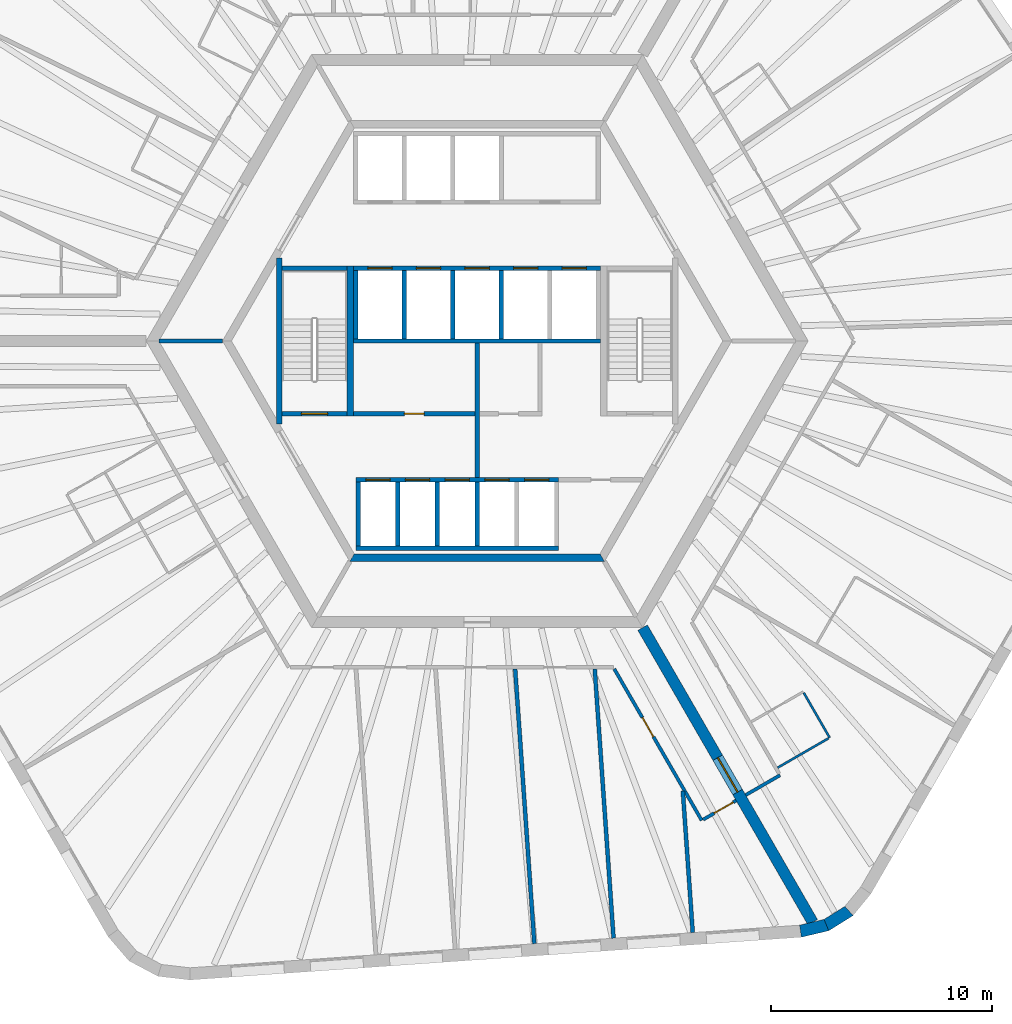
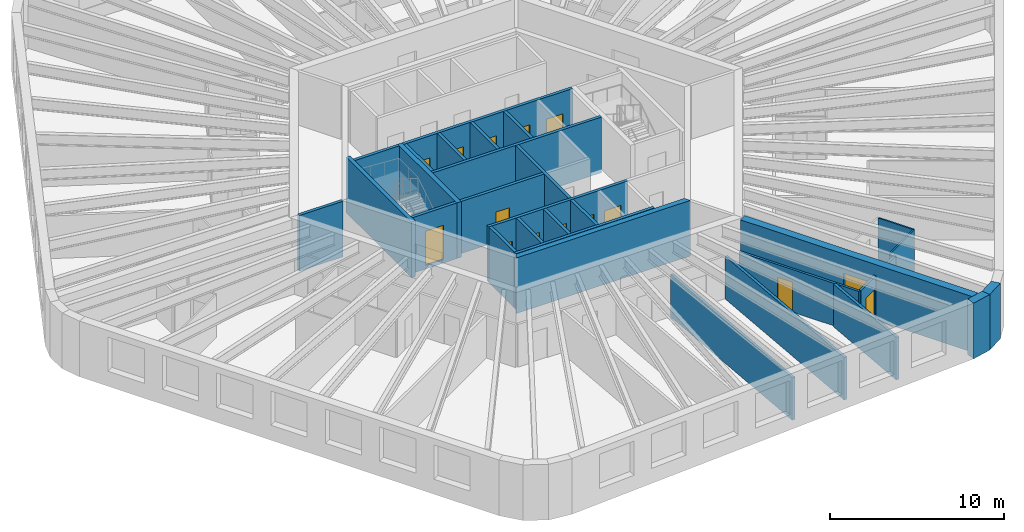
# One storey, part 4 of 10: 31 walls, 15 doors, 15 openings.
"""IFC4 building model written with IfcOpenShell, lengths in metres."""

import ifcopenshell
import ifcopenshell.guid

model = None  # the IFC model being written
_history = None  # IfcOwnerHistory: only IFC2X3 demands one
_inside = {}  # id of a spatial element -> (the spatial element, [elements in it])
_under = {}  # id of a project, library or spatial element -> (it, [spatial elements below it])
_declared = {}  # id of a project -> (the project, [libraries it declares])
_typed = {}  # id of a type object -> (the type object, [elements of that type])
_made_of = {}  # id of a material, layer set ... -> (it, [elements and type objects made of it])


def new_model(schema):
    """Start an empty IFC model of exactly this schema.

    Asked for "IFC4X3", IfcOpenShell would pick the latest addendum, in which some entities
    have other attributes; the version numbers below select the first issue.
    IFC2X3 requires an IfcOwnerHistory on every rooted entity: one is made here for all.
    """
    global model, _history
    if schema == "IFC4X3":
        model = ifcopenshell.file(schema_version=(4, 3, 0, 0))
    else:
        model = ifcopenshell.file(schema=schema)
    _inside.clear()
    _under.clear()
    _declared.clear()
    _typed.clear()
    _made_of.clear()
    _history = None
    if model.schema == "IFC2X3":
        org = make("IfcOrganization", Name="unknown")
        user = make(
            "IfcPersonAndOrganization",
            ThePerson=make("IfcPerson", FamilyName="unknown"),
            TheOrganization=org,
        )
        app = make(
            "IfcApplication",
            ApplicationDeveloper=org,
            Version="unknown",
            ApplicationFullName="unknown",
            ApplicationIdentifier="unknown",
        )
        _history = make(
            "IfcOwnerHistory",
            OwningUser=user,
            OwningApplication=app,
            ChangeAction="ADDED",
            CreationDate=0,
        )
    return model


def make(cls, **values):
    """One entity of the class cls with the attributes given. An attribute that is None is left unset."""
    return model.create_entity(
        cls, **{name: value for name, value in values.items() if value is not None}
    )


def rooted(cls, **values):
    """An entity with a GlobalId (a new one), such as an element, a storey or a relation."""
    return make(cls, GlobalId=ifcopenshell.guid.new(), OwnerHistory=_history, **values)


def si_unit(unit_type, name, prefix=None):
    """IfcSIUnit, for example si_unit("LENGTHUNIT", "METRE", prefix="MILLI")."""
    return make("IfcSIUnit", UnitType=unit_type, Prefix=prefix, Name=name)


def assignment(units):
    """IfcUnitAssignment: the units of a project."""
    return None if units is None else make("IfcUnitAssignment", Units=units)


def point(xyz):
    """IfcCartesianPoint."""
    return None if xyz is None else make("IfcCartesianPoint", Coordinates=xyz)


def direction(xyz):
    """IfcDirection."""
    return None if xyz is None else make("IfcDirection", DirectionRatios=xyz)


def frame(location, z_axis=None, x_axis=None):
    """IfcAxis2Placement3D, a coordinate frame: its origin and axes. An axis left out is left unset."""
    return make(
        "IfcAxis2Placement3D",
        Location=point(location),
        Axis=direction(z_axis),
        RefDirection=direction(x_axis),
    )


def frame_2d(location, x_axis=None):
    """IfcAxis2Placement2D, a coordinate frame in the plane: its origin and x axis."""
    return make(
        "IfcAxis2Placement2D", Location=point(location), RefDirection=direction(x_axis)
    )


def origin():
    """The frame at (0, 0, 0) with its axes left unset."""
    return frame((0.0, 0.0, 0.0))


def place(relative_to, where):
    """IfcLocalPlacement: puts the frame where relative to a parent placement (None: the world)."""
    return make(
        "IfcLocalPlacement", PlacementRelTo=relative_to, RelativePlacement=where
    )


def context(
    kind, dimensions, precision=None, world=None, true_north=None, identifier=None
):
    """IfcGeometricRepresentationContext, for example the 3D "Model" context."""
    return make(
        "IfcGeometricRepresentationContext",
        ContextIdentifier=identifier,
        ContextType=kind,
        CoordinateSpaceDimension=dimensions,
        Precision=precision,
        WorldCoordinateSystem=world,
        TrueNorth=true_north,
    )


def subcontext(parent, identifier, kind, view, scale=None):
    """IfcGeometricRepresentationSubContext, for example "Body" below "Model"."""
    return make(
        "IfcGeometricRepresentationSubContext",
        ContextIdentifier=identifier,
        ContextType=kind,
        ParentContext=parent,
        TargetScale=scale,
        TargetView=view,
    )


def project(units=None, contexts=None):
    """IfcProject with its units and contexts."""
    return rooted(
        "IfcProject",
        Name="project",
        RepresentationContexts=contexts,
        UnitsInContext=assignment(units),
    )


def spatial(cls, under=None, at=None, **own):
    """A site, building, storey or space (cls), placed at a placement, below another one or the project."""
    s = rooted(cls, ObjectPlacement=at, **own)
    if under is not None:
        _under.setdefault(under.id(), (under, []))[1].append(s)
    return s


def polyline(points):
    """IfcPolyline through the points."""
    return make("IfcPolyline", Points=[point(p) for p in points])


def profile(cls, at=None, kind="AREA", **sizes):
    """A parametric profile (cls). Its sizes go by their IFC names, for example OverallWidth=200.0."""
    return make(cls, ProfileType=kind, Position=at, **sizes)


def rectangle(**sizes):
    """IfcRectangleProfileDef."""
    return profile("IfcRectangleProfileDef", **sizes)


def outline(outer, holes=None, kind="AREA"):
    """IfcArbitraryClosedProfileDef: a profile drawn as a closed curve; with holes, ...WithVoids."""
    if holes is None:
        return make("IfcArbitraryClosedProfileDef", ProfileType=kind, OuterCurve=outer)
    return make(
        "IfcArbitraryProfileDefWithVoids",
        ProfileType=kind,
        OuterCurve=outer,
        InnerCurves=holes,
    )


def extrude(swept, where, along, depth):
    """IfcExtrudedAreaSolid: the profile swept, set in the frame where, extruded along a direction by depth."""
    return make(
        "IfcExtrudedAreaSolid",
        SweptArea=swept,
        Position=where,
        ExtrudedDirection=direction(along),
        Depth=depth,
    )


def shape(context_of_items, identifier, shape_type, items):
    """IfcShapeRepresentation: the items that make up one representation, for example the "Body"."""
    return make(
        "IfcShapeRepresentation",
        ContextOfItems=context_of_items,
        RepresentationIdentifier=identifier,
        RepresentationType=shape_type,
        Items=items,
    )


def material(Name=None, Category=None):
    """IfcMaterial."""
    return make("IfcMaterial", Name=Name, Category=Category)


def layer(
    of_material, thickness, ventilated=None, Name=None, Category=None, Priority=None
):
    """IfcMaterialLayer: one layer of a wall or slab, of a material (None: an air gap)."""
    return make(
        "IfcMaterialLayer",
        Material=of_material,
        LayerThickness=thickness,
        IsVentilated=ventilated,
        Name=Name,
        Category=Category,
        Priority=Priority,
    )


def layer_set(layers, Name=None):
    """IfcMaterialLayerSet."""
    return make("IfcMaterialLayerSet", MaterialLayers=layers, LayerSetName=Name)


def made_of(thing, what):
    """Note that an element or type object is made of a material, layer set ...; save() writes the relation."""
    if what is not None:
        _made_of.setdefault(what.id(), (what, []))[1].append(thing)
    return thing


def type_object(cls, material=None, **own):
    """A type object (cls), such as IfcWallType, which elements share."""
    return made_of(rooted(cls, **own), material)


def element(
    cls,
    number,
    at=None,
    inside=None,
    cuts=None,
    type_object=None,
    material=None,
    context=None,
    identifier="Body",
    shape_type=None,
    held_by="IfcProductDefinitionShape",
    body=None,
    shapes=None,
    **own,
):
    """One element of the class cls, such as IfcWall. Its Tag is "e" and its number.

    at: its placement. inside: the storey or other place that contains it. cuts: it is an
    opening in that element (IfcRelVoidsElement). A single representation is given by context,
    identifier, shape_type and body (its items); several are given by shapes. held_by: the class
    of the entity that holds the representations. save() writes the other relations.
    """
    e = rooted(cls, Tag="e%d" % number, ObjectPlacement=at, **own)
    if body is not None:
        shapes = [shape(context, identifier, shape_type, body)]
    if shapes is not None:
        e.Representation = make(held_by, Representations=shapes)
    if inside is not None:
        _inside.setdefault(inside.id(), (inside, []))[1].append(e)
    if cuts is not None:
        rooted(
            "IfcRelVoidsElement", RelatingBuildingElement=cuts, RelatedOpeningElement=e
        )
    if type_object is not None:
        _typed.setdefault(type_object.id(), (type_object, []))[1].append(e)
    return made_of(e, material)


def fill(opening, filler):
    """IfcRelFillsElement: the door or window that sits in an opening."""
    return rooted(
        "IfcRelFillsElement",
        RelatingOpeningElement=opening,
        RelatedBuildingElement=filler,
    )


def aggregate(whole, parts):
    """IfcRelAggregates: a whole, such as a stair, and the parts it consists of."""
    return rooted("IfcRelAggregates", RelatingObject=whole, RelatedObjects=parts)


def save(model, path):
    """Write the relations noted so far, then the file.

    IfcRelAggregates (storeys below a building ...), IfcRelContainedInSpatialStructure (elements
    in a storey), IfcRelDefinesByType, IfcRelAssociatesMaterial and IfcRelDeclares: one each for
    every whole, place, type object, material and project.
    """
    for whole, parts in _under.values():
        aggregate(whole, parts)
    for where, things in _inside.values():
        rooted(
            "IfcRelContainedInSpatialStructure",
            RelatedElements=things,
            RelatingStructure=where,
        )
    for kind, things in _typed.values():
        rooted("IfcRelDefinesByType", RelatedObjects=things, RelatingType=kind)
    for what, things in _made_of.values():
        rooted("IfcRelAssociatesMaterial", RelatedObjects=things, RelatingMaterial=what)
    for by, libraries in _declared.values():
        rooted("IfcRelDeclares", RelatingContext=by, RelatedDefinitions=libraries)
    model.write(path)


model = new_model("IFC4")

# Units and contexts
model_context = context("Model", 3, precision=1e-05, world=origin(), true_north=direction((0.0, 1.0)))
body_context = subcontext(model_context, "Body", "Model", "MODEL_VIEW")
ifc_project = project(units=[si_unit("LENGTHUNIT", "METRE"), si_unit("AREAUNIT", "SQUARE_METRE"), si_unit("VOLUMEUNIT", "CUBIC_METRE"), si_unit("PLANEANGLEUNIT", "RADIAN"), si_unit("MASSUNIT", "GRAM", prefix="KILO")], contexts=[model_context])

# Site, building, storey
site_placement = place(None, origin())
site = spatial("IfcSite", under=ifc_project, at=site_placement, CompositionType="ELEMENT")
building_placement = place(site_placement, origin())
building = spatial("IfcBuilding", under=site, at=building_placement, Name="Tarnside Tower", CompositionType="ELEMENT")
storey_placement = place(building_placement, frame((0.0, 0.0, 234.60009765625)))
storey = spatial("IfcBuildingStorey", under=building, at=storey_placement, Name="L56", CompositionType="ELEMENT", Elevation=234.60009765625)

# Walls
ifc_material_1 = material(Name="Gypsum board partition on steel studs", Category="steel")
ifc_layer_1 = layer(ifc_material_1, 0.10009765625)
ifc_layer_set_1 = layer_set([ifc_layer_1], Name="Bathroom wall 100")
wall_type_1 = type_object("IfcWallType", Name="Bathroom wall 100", PredefinedType="PARTITIONING", material=ifc_layer_set_1)
wall_1_placement = place(storey_placement, frame((14.811767578125, -15.95458984375, 0.0), z_axis=(0.0, 0.0, 1.0), x_axis=(0.499938297808, -0.866061024631, 0.0)))
element("IfcWall", 1, at=wall_1_placement, inside=storey, type_object=wall_type_1, Name="Bathroom wall 18088", PredefinedType="PARTITIONING", context=body_context, shape_type="SweptSolid", body=[
    extrude(rectangle(XDim=2.349853515625, YDim=0.10009765625, at=frame_2d((1.1748046875, 0.0))), origin(), (0.0, 0.0, 1.0), 2.98779296875),
])
wall_2_placement = place(storey_placement, frame((15.943359375, -18.0146484375, 0.0), z_axis=(0.0, 0.0, 1.0), x_axis=(-0.866004723184, -0.50003581814, 0.0)))
element("IfcWall", 2, at=wall_2_placement, inside=storey, type_object=wall_type_1, Name="Bathroom wall 18089", PredefinedType="PARTITIONING", context=body_context, shape_type="SweptSolid", body=[
    extrude(rectangle(XDim=2.675048828125, YDim=0.10009765625, at=frame_2d((1.33740234375, 0.0))), origin(), (0.0, 0.0, 1.0), 2.98779296875),
])
ifc_material_2 = material(Name="Concrete C50/60", Category="concrete")
ifc_layer_2 = layer(ifc_material_2, 0.35009765625)
ifc_layer_set_2 = layer_set([ifc_layer_2], Name="Core block wall 350 C50/60")
wall_type_2 = type_object("IfcWallType", Name="Core block wall 350 C50/60", PredefinedType="SHEAR", material=ifc_layer_set_2)
wall_3_placement = place(storey_placement, frame((-5.672607421875, -9.824951171875, -0.150146484375), z_axis=(0.0, 0.0, 1.0), x_axis=(1.0, 0.0, 0.0)))
element("IfcWall", 3, at=wall_3_placement, inside=storey, type_object=wall_type_2, Name="L56 core block wall face 4", PredefinedType="SHEAR", context=body_context, shape_type="SweptSolid", body=[
    extrude(outline(polyline([(-0.10107421875, -0.175048828125), (11.4462890625, -0.175048828125), (11.244140625, 0.175048828125), (0.10107421875, 0.175048828125), (-0.10107421875, -0.175048828125)])), origin(), (0.0, 0.0, 1.0), 3.900146484375),
])

# Wall, opening, door
ifc_material_3 = material(Name="Concrete C40/50", Category="concrete")
ifc_layer_3 = layer(ifc_material_3, 0.199951171875)
ifc_layer_set_3 = layer_set([ifc_layer_3], Name="Core room partition 200 C40/50")
wall_type_3 = type_object("IfcWallType", Name="Core room partition 200 C40/50", PredefinedType="PARTITIONING", material=ifc_layer_set_3)
wall_4_placement = place(storey_placement, frame((-5.60009765625, -3.300048828125, 0.0), z_axis=(0.0, 0.0, 1.0), x_axis=(1.0, 0.0, 0.0)))
wall_4 = element("IfcWall", 4, at=wall_4_placement, inside=storey, type_object=wall_type_3, Name="L56 core partition W3", PredefinedType="PARTITIONING", context=body_context, shape_type="SweptSolid", body=[
    extrude(rectangle(XDim=5.5, YDim=0.199951171875, at=frame_2d((2.75, 0.0))), origin(), (0.0, 0.0, 1.0), 3.64990234375),
])
opening_1_placement = place(wall_4_placement, frame((2.300048828125, 0.0, 0.0)))
opening_1 = element("IfcOpeningElement", 5, at=opening_1_placement, cuts=wall_4, Name="Opening CD-room", PredefinedType="OPENING", context=body_context, shape_type="SweptSolid", body=[
    extrude(rectangle(XDim=0.89990234375, YDim=2.10009765625, at=frame_2d((0.449951171875, 1.050048828125))), frame((0.0, 0.10986328125, 0.0), z_axis=(0.0, -1.0, 0.0), x_axis=(1.0, 0.0, 0.0)), (0.0, 0.0, 1.0), 0.219970703125),
])
ifc_material_4 = material(Name="Steel fire door", Category="steel")
door_type_1 = type_object("IfcDoorType", Name="Room door FD60 900x2100", OperationType="NOTDEFINED", PredefinedType="DOOR", material=ifc_material_4)
door_1_placement = place(opening_1_placement, origin())
door_1 = element("IfcDoor", 6, at=door_1_placement, inside=storey, type_object=door_type_1, Name="L56 core room door W3D", OperationType="SINGLE_SWING_LEFT", OverallHeight=2.10009765625, OverallWidth=0.89990234375, PredefinedType="DOOR", context=body_context, shape_type="SweptSolid", body=[
    extrude(rectangle(XDim=0.89990234375, YDim=2.10009765625, at=frame_2d((0.449951171875, 1.050048828125))), frame((0.0, 0.02490234375, 0.0), z_axis=(0.0, -1.0, 0.0), x_axis=(1.0, 0.0, 0.0)), (0.0, 0.0, 1.0), 0.050048828125),
])
fill(opening_1, door_1)

# Wall
wall_5_placement = place(storey_placement, frame((0.0, -6.199951171875, 0.0), z_axis=(0.0, 0.0, 1.0), x_axis=(0.0, 1.0, 0.0)))
element("IfcWall", 7, at=wall_5_placement, inside=storey, type_object=wall_type_3, Name="L56 core partition X0", PredefinedType="PARTITIONING", context=body_context, shape_type="SweptSolid", body=[
    extrude(rectangle(XDim=6.099853515625, YDim=0.199951171875, at=frame_2d((3.0498046875, 0.0))), origin(), (0.0, 0.0, 1.0), 3.64990234375),
])

# Wall, opening, door
ifc_material_5 = material(Name="Concrete C70/85", Category="concrete")
ifc_layer_4 = layer(ifc_material_5, 0.5)
ifc_layer_set_4 = layer_set([ifc_layer_4], Name="Core wall Z2 500 C70/85")
wall_type_4 = type_object("IfcWallType", Name="Core wall Z2 500 C70/85", PredefinedType="SHEAR", material=ifc_layer_set_4)
wall_6_placement = place(storey_placement, frame((7.505615234375, -13.0, -0.150146484375), z_axis=(0.0, 0.0, 1.0), x_axis=(0.499988271576, -0.866032175087, 0.0)))
wall_6 = element("IfcWall", 8, at=wall_6_placement, inside=storey, type_object=wall_type_4, Name="L56 spine wall 3", PredefinedType="SHEAR", context=body_context, shape_type="SweptSolid", body=[
    extrude(rectangle(XDim=15.423583984375, YDim=0.5, at=frame_2d((7.7119140625, 0.0))), origin(), (0.0, 0.0, 1.0), 3.900146484375),
])
opening_2_placement = place(wall_6_placement, frame((6.811767578125, 0.0, 0.14990234375)))
opening_2 = element("IfcOpeningElement", 9, at=opening_2_placement, cuts=wall_6, Name="Opening CD-SPN", PredefinedType="OPENING", context=body_context, shape_type="SweptSolid", body=[
    extrude(rectangle(XDim=1.800048828125, YDim=2.39990234375, at=frame_2d((0.89990234375, 1.199951171875))), frame((0.0, 0.260009765625, 0.0), z_axis=(0.0, -1.0, 0.0), x_axis=(1.0, 0.0, 0.0)), (0.0, 0.0, 1.0), 0.52001953125),
])
door_type_2 = type_object("IfcDoorType", Name="Spine passage double door FD60 1800x2400", OperationType="NOTDEFINED", PredefinedType="DOOR", material=ifc_material_4)
door_2_placement = place(opening_2_placement, origin())
door_2 = element("IfcDoor", 10, at=door_2_placement, inside=storey, type_object=door_type_2, Name="L56 spine passage door 3", OperationType="DOUBLE_DOOR_SINGLE_SWING", OverallHeight=2.39990234375, OverallWidth=1.800048828125, PredefinedType="DOOR", context=body_context, shape_type="SweptSolid", body=[
    extrude(rectangle(XDim=1.800048828125, YDim=2.39990234375, at=frame_2d((0.89990234375, 1.199951171875))), frame((0.0, 0.02490234375, 0.0), z_axis=(0.0, -1.0, 0.0), x_axis=(1.0, 0.0, 0.0)), (0.0, 0.0, 1.0), 0.050048828125),
])
fill(opening_2, door_2)

ifc_layer_5 = layer(ifc_material_1, 0.14990234375)
ifc_layer_set_5 = layer_set([ifc_layer_5], Name="Corridor wall 150 EI 60")
wall_type_5 = type_object("IfcWallType", Name="Corridor wall 150 EI 60", PredefinedType="PARTITIONING", material=ifc_layer_set_5)
wall_7_placement = place(storey_placement, frame((6.220947265625, -14.875, 0.0), z_axis=(0.0, 0.0, 1.0), x_axis=(0.499989830942, -0.866031274813, 0.0)))
wall_7 = element("IfcWall", 11, at=wall_7_placement, inside=storey, type_object=wall_type_5, Name="Corridor wall 18031", PredefinedType="PARTITIONING", context=body_context, shape_type="SweptSolid", body=[
    extrude(rectangle(XDim=7.930419921875, YDim=0.14990234375, at=frame_2d((3.96533203125, 0.0))), origin(), (0.0, 0.0, 1.0), 2.98779296875),
])
opening_3_placement = place(wall_7_placement, frame((2.552001953125, 0.0, 0.0)))
opening_3 = element("IfcOpeningElement", 12, at=opening_3_placement, cuts=wall_7, Name="Opening D-E1", PredefinedType="OPENING", context=body_context, shape_type="SweptSolid", body=[
    extrude(rectangle(XDim=1.0, YDim=2.10009765625, at=frame_2d((0.5, 1.050048828125))), frame((0.0, 0.0849609375, 0.0), z_axis=(0.0, -1.0, 0.0), x_axis=(1.0, 0.0, 0.0)), (0.0, 0.0, 1.0), 0.169921875),
])
ifc_material_6 = material(Name="Timber door leaf", Category="wood")
door_type_3 = type_object("IfcDoorType", Name="Unit entrance door 1000 FD30S", OperationType="NOTDEFINED", PredefinedType="DOOR", material=ifc_material_6)
door_3_placement = place(opening_3_placement, origin())
door_3 = element("IfcDoor", 13, at=door_3_placement, inside=storey, type_object=door_type_3, Name="Unit door 18022", OperationType="SINGLE_SWING_RIGHT", OverallHeight=2.10009765625, OverallWidth=1.0, PredefinedType="DOOR", context=body_context, shape_type="SweptSolid", body=[
    extrude(rectangle(XDim=1.0, YDim=2.10009765625, at=frame_2d((0.5, 1.050048828125))), frame((0.0, 0.02490234375, 0.0), z_axis=(0.0, -1.0, 0.0), x_axis=(1.0, 0.0, 0.0)), (0.0, 0.0, 1.0), 0.050048828125),
])
fill(opening_3, door_3)

wall_8_placement = place(storey_placement, frame((10.2509765625, -21.705322265625, 0.0), z_axis=(0.0, 0.0, 1.0), x_axis=(0.866013532718, 0.500020560727, 0.0)))
wall_8 = element("IfcWall", 14, at=wall_8_placement, inside=storey, type_object=wall_type_5, Name="Corridor wall 18033", PredefinedType="PARTITIONING", context=body_context, shape_type="SweptSolid", body=[
    extrude(rectangle(XDim=1.72509765625, YDim=0.14990234375, at=frame_2d((0.862548828125, 0.0))), origin(), (0.0, 0.0, 1.0), 2.98779296875),
])
opening_4_placement = place(wall_8_placement, frame((0.574951171875, 0.0, 0.0)))
opening_4 = element("IfcOpeningElement", 15, at=opening_4_placement, cuts=wall_8, Name="Opening D-E1", PredefinedType="OPENING", context=body_context, shape_type="SweptSolid", body=[
    extrude(rectangle(XDim=1.0, YDim=2.10009765625, at=frame_2d((0.5, 1.050048828125))), frame((0.0, 0.0849609375, 0.0), z_axis=(0.0, -1.0, 0.0), x_axis=(1.0, 0.0, 0.0)), (0.0, 0.0, 1.0), 0.169921875),
])
door_4_placement = place(opening_4_placement, origin())
door_4 = element("IfcDoor", 16, at=door_4_placement, inside=storey, type_object=door_type_3, Name="Unit door 18023", OperationType="SINGLE_SWING_LEFT", OverallHeight=2.10009765625, OverallWidth=1.0, PredefinedType="DOOR", context=body_context, shape_type="SweptSolid", body=[
    extrude(rectangle(XDim=1.0, YDim=2.10009765625, at=frame_2d((0.5, 1.050048828125))), frame((0.0, 0.02490234375, 0.0), z_axis=(0.0, -1.0, 0.0), x_axis=(1.0, 0.0, 0.0)), (0.0, 0.0, 1.0), 0.050048828125),
])
fill(opening_4, door_4)

# Walls
wall_9_placement = place(storey_placement, frame((12.177978515625, -20.5927734375, 0.0), z_axis=(0.0, 0.0, 1.0), x_axis=(0.866047807691, 0.499961193289, 0.0)))
element("IfcWall", 17, at=wall_9_placement, inside=storey, type_object=wall_type_5, Name="Corridor wall 18036", PredefinedType="PARTITIONING", context=body_context, shape_type="SweptSolid", body=[
    extrude(rectangle(XDim=1.800048828125, YDim=0.14990234375, at=frame_2d((0.89990234375, 0.0))), origin(), (0.0, 0.0, 1.0), 2.98779296875),
])
ifc_layer_6 = layer(ifc_material_1, 0.179931640625)
ifc_layer_set_6 = layer_set([ifc_layer_6], Name="Demising wall 180 EI 60")
wall_type_6 = type_object("IfcWallType", Name="Demising wall 180 EI 60", PredefinedType="PARTITIONING", material=ifc_layer_set_6)
wall_10_placement = place(storey_placement, frame((2.59521484375, -27.33544921875, 0.0), z_axis=(0.0, 0.0, 1.0), x_axis=(-0.069757939761, 0.997563947745, 0.0)))
element("IfcWall", 18, at=wall_10_placement, inside=storey, type_object=wall_type_6, Name="Demising wall 18084", PredefinedType="PARTITIONING", context=body_context, shape_type="SweptSolid", body=[
    extrude(rectangle(XDim=12.490966796875, YDim=0.179931640625, at=frame_2d((6.24560546875, 0.0))), origin(), (0.0, 0.0, 1.0), 2.98779296875),
])
wall_11_placement = place(storey_placement, frame((6.1865234375, -27.08447265625, 0.0), z_axis=(0.0, 0.0, 1.0), x_axis=(-0.069755682409, 0.997564105595, 0.0)))
element("IfcWall", 19, at=wall_11_placement, inside=storey, type_object=wall_type_6, Name="Demising wall 18085", PredefinedType="PARTITIONING", context=body_context, shape_type="SweptSolid", body=[
    extrude(rectangle(XDim=12.2392578125, YDim=0.179931640625, at=frame_2d((6.11962890625, 0.0))), origin(), (0.0, 0.0, 1.0), 2.98779296875),
])
wall_12_placement = place(storey_placement, frame((9.777587890625, -26.833251953125, 0.0), z_axis=(0.0, 0.0, 1.0), x_axis=(-0.069733334443, 0.997565668048, 0.0)))
element("IfcWall", 20, at=wall_12_placement, inside=storey, type_object=wall_type_6, Name="Demising wall 18086", PredefinedType="PARTITIONING", context=body_context, shape_type="SweptSolid", body=[
    extrude(rectangle(XDim=6.44189453125, YDim=0.179931640625, at=frame_2d((3.220947265625, 0.0))), origin(), (0.0, 0.0, 1.0), 2.98779296875),
])

# Wall, openings, doors
ifc_layer_7 = layer(ifc_material_3, 0.199951171875)
ifc_layer_set_7 = layer_set([ifc_layer_7], Name="Lift shaft wall 200 C40/50")
wall_type_7 = type_object("IfcWallType", Name="Lift shaft wall 200 C40/50", PredefinedType="SHEAR", material=ifc_layer_set_7)
wall_13_placement = place(storey_placement, frame((-5.60009765625, 3.300048828125, -0.25), z_axis=(0.0, 0.0, 1.0), x_axis=(1.0, 0.0, 0.0)))
wall_13 = element("IfcWall", 21, at=wall_13_placement, inside=storey, type_object=wall_type_7, Name="L56 lift shaft front wall R2", PredefinedType="SHEAR", context=body_context, shape_type="SweptSolid", body=[
    extrude(rectangle(XDim=11.2001953125, YDim=0.199951171875, at=frame_2d((5.60009765625, 0.0))), origin(), (0.0, 0.0, 1.0), 3.89990234375),
])
opening_5_placement = place(wall_13_placement, frame((0.64990234375, 0.0, 0.25)))
opening_5 = element("IfcOpeningElement", 22, at=opening_5_placement, cuts=wall_13, Name="Opening LD", PredefinedType="OPENING", context=body_context, shape_type="SweptSolid", body=[
    extrude(rectangle(XDim=1.10009765625, YDim=2.10009765625, at=frame_2d((0.550048828125, 1.050048828125))), frame((0.0, 0.10986328125, 0.0), z_axis=(0.0, -1.0, 0.0), x_axis=(1.0, 0.0, 0.0)), (0.0, 0.0, 1.0), 0.219970703125),
])
opening_6_placement = place(wall_13_placement, frame((2.85009765625, 0.0, 0.25)))
opening_6 = element("IfcOpeningElement", 23, at=opening_6_placement, cuts=wall_13, Name="Opening LD", PredefinedType="OPENING", context=body_context, shape_type="SweptSolid", body=[
    extrude(rectangle(XDim=1.10009765625, YDim=2.10009765625, at=frame_2d((0.550048828125, 1.050048828125))), frame((0.0, 0.10986328125, 0.0), z_axis=(0.0, -1.0, 0.0), x_axis=(1.0, 0.0, 0.0)), (0.0, 0.0, 1.0), 0.219970703125),
])
opening_7_placement = place(wall_13_placement, frame((5.050048828125, 0.0, 0.25)))
opening_7 = element("IfcOpeningElement", 24, at=opening_7_placement, cuts=wall_13, Name="Opening LD", PredefinedType="OPENING", context=body_context, shape_type="SweptSolid", body=[
    extrude(rectangle(XDim=1.10009765625, YDim=2.10009765625, at=frame_2d((0.550048828125, 1.050048828125))), frame((0.0, 0.10986328125, 0.0), z_axis=(0.0, -1.0, 0.0), x_axis=(1.0, 0.0, 0.0)), (0.0, 0.0, 1.0), 0.219970703125),
])
opening_8_placement = place(wall_13_placement, frame((7.25, 0.0, 0.25)))
opening_8 = element("IfcOpeningElement", 25, at=opening_8_placement, cuts=wall_13, Name="Opening LD", PredefinedType="OPENING", context=body_context, shape_type="SweptSolid", body=[
    extrude(rectangle(XDim=1.10009765625, YDim=2.10009765625, at=frame_2d((0.550048828125, 1.050048828125))), frame((0.0, 0.10986328125, 0.0), z_axis=(0.0, -1.0, 0.0), x_axis=(1.0, 0.0, 0.0)), (0.0, 0.0, 1.0), 0.219970703125),
])
opening_9_placement = place(wall_13_placement, frame((9.449951171875, 0.0, 0.25)))
opening_9 = element("IfcOpeningElement", 26, at=opening_9_placement, cuts=wall_13, Name="Opening LD", PredefinedType="OPENING", context=body_context, shape_type="SweptSolid", body=[
    extrude(rectangle(XDim=1.10009765625, YDim=2.10009765625, at=frame_2d((0.550048828125, 1.050048828125))), frame((0.0, 0.10986328125, 0.0), z_axis=(0.0, -1.0, 0.0), x_axis=(1.0, 0.0, 0.0)), (0.0, 0.0, 1.0), 0.219970703125),
])
ifc_material_7 = material(Name="Stainless steel", Category="steel")
door_type_4 = type_object("IfcDoorType", Name="Lift landing door 1100x2100", OperationType="NOTDEFINED", PredefinedType="DOOR", material=ifc_material_7)
door_5_placement = place(opening_5_placement, origin())
door_5 = element("IfcDoor", 27, at=door_5_placement, inside=storey, type_object=door_type_4, Name="Mid-rise lift 4 landing door L56", OperationType="SLIDING_TO_LEFT", OverallHeight=2.10009765625, OverallWidth=1.10009765625, PredefinedType="DOOR", context=body_context, shape_type="SweptSolid", body=[
    extrude(rectangle(XDim=1.10009765625, YDim=2.10009765625, at=frame_2d((0.550048828125, 1.050048828125))), frame((0.0, 0.02490234375, 0.0), z_axis=(0.0, -1.0, 0.0), x_axis=(1.0, 0.0, 0.0)), (0.0, 0.0, 1.0), 0.050048828125),
])
fill(opening_5, door_5)
door_6_placement = place(opening_6_placement, origin())
door_6 = element("IfcDoor", 28, at=door_6_placement, inside=storey, type_object=door_type_4, Name="Mid-rise lift 5 landing door L56", OperationType="SLIDING_TO_LEFT", OverallHeight=2.10009765625, OverallWidth=1.10009765625, PredefinedType="DOOR", context=body_context, shape_type="SweptSolid", body=[
    extrude(rectangle(XDim=1.10009765625, YDim=2.10009765625, at=frame_2d((0.550048828125, 1.050048828125))), frame((0.0, 0.02490234375, 0.0), z_axis=(0.0, -1.0, 0.0), x_axis=(1.0, 0.0, 0.0)), (0.0, 0.0, 1.0), 0.050048828125),
])
fill(opening_6, door_6)
door_7_placement = place(opening_7_placement, origin())
door_7 = element("IfcDoor", 29, at=door_7_placement, inside=storey, type_object=door_type_4, Name="Mid-rise lift 6 landing door L56", OperationType="SLIDING_TO_LEFT", OverallHeight=2.10009765625, OverallWidth=1.10009765625, PredefinedType="DOOR", context=body_context, shape_type="SweptSolid", body=[
    extrude(rectangle(XDim=1.10009765625, YDim=2.10009765625, at=frame_2d((0.550048828125, 1.050048828125))), frame((0.0, 0.02490234375, 0.0), z_axis=(0.0, -1.0, 0.0), x_axis=(1.0, 0.0, 0.0)), (0.0, 0.0, 1.0), 0.050048828125),
])
fill(opening_7, door_7)
door_8_placement = place(opening_8_placement, origin())
door_8 = element("IfcDoor", 30, at=door_8_placement, inside=storey, type_object=door_type_4, Name="High sky-lobby shuttle 1 landing door L56", OperationType="SLIDING_TO_LEFT", OverallHeight=2.10009765625, OverallWidth=1.10009765625, PredefinedType="DOOR", context=body_context, shape_type="SweptSolid", body=[
    extrude(rectangle(XDim=1.10009765625, YDim=2.10009765625, at=frame_2d((0.550048828125, 1.050048828125))), frame((0.0, 0.02490234375, 0.0), z_axis=(0.0, -1.0, 0.0), x_axis=(1.0, 0.0, 0.0)), (0.0, 0.0, 1.0), 0.050048828125),
])
fill(opening_8, door_8)
door_9_placement = place(opening_9_placement, origin())
door_9 = element("IfcDoor", 31, at=door_9_placement, inside=storey, type_object=door_type_4, Name="Express sky-lobby shuttle 2 landing door L56", OperationType="SLIDING_TO_LEFT", OverallHeight=2.10009765625, OverallWidth=1.10009765625, PredefinedType="DOOR", context=body_context, shape_type="SweptSolid", body=[
    extrude(rectangle(XDim=1.10009765625, YDim=2.10009765625, at=frame_2d((0.550048828125, 1.050048828125))), frame((0.0, 0.02490234375, 0.0), z_axis=(0.0, -1.0, 0.0), x_axis=(1.0, 0.0, 0.0)), (0.0, 0.0, 1.0), 0.050048828125),
])
fill(opening_9, door_9)

# Walls
wall_14_placement = place(storey_placement, frame((-5.60009765625, 0.0, -0.25), z_axis=(0.0, 0.0, 1.0), x_axis=(1.0, 0.0, 0.0)))
element("IfcWall", 32, at=wall_14_placement, inside=storey, type_object=wall_type_7, Name="L56 lift shaft back wall R2", PredefinedType="SHEAR", context=body_context, shape_type="SweptSolid", body=[
    extrude(rectangle(XDim=11.2001953125, YDim=0.199951171875, at=frame_2d((5.60009765625, 0.0))), origin(), (0.0, 0.0, 1.0), 3.89990234375),
])
for number, where, z_axis, x_axis, name in (
    (33, (-5.5, 0.10009765625, -0.25), (0.0, 0.0, 1.0), (0.0, 1.0, 0.0), "L56 lift shaft partition R21"),
    (34, (-3.300048828125, 0.10009765625, -0.25), (0.0, 0.0, 1.0), (0.0, 1.0, 0.0), "L56 lift shaft partition R22"),
    (35, (-1.10009765625, 0.10009765625, -0.25), (0.0, 0.0, 1.0), (0.0, 1.0, 0.0), "L56 lift shaft partition R23"),
    (36, (1.10009765625, 0.10009765625, -0.25), (0.0, 0.0, 1.0), (0.0, 1.0, 0.0), "L56 lift shaft partition R24"),
):
    element("IfcWall", number, at=place(storey_placement, frame(where, z_axis=z_axis, x_axis=x_axis)), inside=storey, type_object=wall_type_7, Name=name, PredefinedType="SHEAR", context=body_context, shape_type="SweptSolid", body=[
        extrude(rectangle(XDim=3.099853515625, YDim=0.199951171875, at=frame_2d((1.5498046875, 0.0))), origin(), (0.0, 0.0, 1.0), 3.89990234375),
    ])

# Wall, openings, doors
wall_15_placement = place(storey_placement, frame((-5.5, -6.300048828125, -0.25), z_axis=(0.0, 0.0, 1.0), x_axis=(1.0, 0.0, 0.0)))
wall_15 = element("IfcWall", 37, at=wall_15_placement, inside=storey, type_object=wall_type_7, Name="L56 lift shaft front wall R4", PredefinedType="SHEAR", context=body_context, shape_type="SweptSolid", body=[
    extrude(rectangle(XDim=9.199951171875, YDim=0.199951171875, at=frame_2d((4.60009765625, 0.0))), origin(), (0.0, 0.0, 1.0), 3.89990234375),
])
opening_10_placement = place(wall_15_placement, frame((0.449951171875, 0.0, 0.25)))
opening_10 = element("IfcOpeningElement", 38, at=opening_10_placement, cuts=wall_15, Name="Opening LDF", PredefinedType="OPENING", context=body_context, shape_type="SweptSolid", body=[
    extrude(rectangle(XDim=1.10009765625, YDim=2.10009765625, at=frame_2d((0.550048828125, 1.050048828125))), frame((0.0, 0.10986328125, 0.0), z_axis=(0.0, -1.0, 0.0), x_axis=(1.0, 0.0, 0.0)), (0.0, 0.0, 1.0), 0.219970703125),
])
opening_11_placement = place(wall_15_placement, frame((2.25, 0.0, 0.25)))
opening_11 = element("IfcOpeningElement", 39, at=opening_11_placement, cuts=wall_15, Name="Opening LDF", PredefinedType="OPENING", context=body_context, shape_type="SweptSolid", body=[
    extrude(rectangle(XDim=1.10009765625, YDim=2.10009765625, at=frame_2d((0.550048828125, 1.050048828125))), frame((0.0, 0.10986328125, 0.0), z_axis=(0.0, -1.0, 0.0), x_axis=(1.0, 0.0, 0.0)), (0.0, 0.0, 1.0), 0.219970703125),
])
opening_12_placement = place(wall_15_placement, frame((4.050048828125, 0.0, 0.25)))
opening_12 = element("IfcOpeningElement", 40, at=opening_12_placement, cuts=wall_15, Name="Opening LDF", PredefinedType="OPENING", context=body_context, shape_type="SweptSolid", body=[
    extrude(rectangle(XDim=1.10009765625, YDim=2.10009765625, at=frame_2d((0.550048828125, 1.050048828125))), frame((0.0, 0.10986328125, 0.0), z_axis=(0.0, -1.0, 0.0), x_axis=(1.0, 0.0, 0.0)), (0.0, 0.0, 1.0), 0.219970703125),
])
opening_13_placement = place(wall_15_placement, frame((5.85009765625, 0.0, 0.25)))
opening_13 = element("IfcOpeningElement", 41, at=opening_13_placement, cuts=wall_15, Name="Opening LDF", PredefinedType="OPENING", context=body_context, shape_type="SweptSolid", body=[
    extrude(rectangle(XDim=1.10009765625, YDim=2.10009765625, at=frame_2d((0.550048828125, 1.050048828125))), frame((0.0, 0.10986328125, 0.0), z_axis=(0.0, -1.0, 0.0), x_axis=(1.0, 0.0, 0.0)), (0.0, 0.0, 1.0), 0.219970703125),
])
opening_14_placement = place(wall_15_placement, frame((7.64990234375, 0.0, 0.25)))
opening_14 = element("IfcOpeningElement", 42, at=opening_14_placement, cuts=wall_15, Name="Opening LDF", PredefinedType="OPENING", context=body_context, shape_type="SweptSolid", body=[
    extrude(rectangle(XDim=1.10009765625, YDim=2.10009765625, at=frame_2d((0.550048828125, 1.050048828125))), frame((0.0, 0.10986328125, 0.0), z_axis=(0.0, -1.0, 0.0), x_axis=(1.0, 0.0, 0.0)), (0.0, 0.0, 1.0), 0.219970703125),
])
door_type_5 = type_object("IfcDoorType", Name="Lift landing door 1100x2100 EI 120", OperationType="NOTDEFINED", PredefinedType="DOOR", material=ifc_material_7)
door_10_placement = place(opening_10_placement, origin())
door_10 = element("IfcDoor", 43, at=door_10_placement, inside=storey, type_object=door_type_5, Name="Firefighting lift 1 landing door L56", OperationType="SLIDING_TO_LEFT", OverallHeight=2.10009765625, OverallWidth=1.10009765625, PredefinedType="DOOR", context=body_context, shape_type="SweptSolid", body=[
    extrude(rectangle(XDim=1.10009765625, YDim=2.10009765625, at=frame_2d((0.550048828125, 1.050048828125))), frame((0.0, 0.02490234375, 0.0), z_axis=(0.0, -1.0, 0.0), x_axis=(1.0, 0.0, 0.0)), (0.0, 0.0, 1.0), 0.050048828125),
])
fill(opening_10, door_10)
door_11_placement = place(opening_11_placement, origin())
door_11 = element("IfcDoor", 44, at=door_11_placement, inside=storey, type_object=door_type_5, Name="Firefighting lift 2 landing door L56", OperationType="SLIDING_TO_LEFT", OverallHeight=2.10009765625, OverallWidth=1.10009765625, PredefinedType="DOOR", context=body_context, shape_type="SweptSolid", body=[
    extrude(rectangle(XDim=1.10009765625, YDim=2.10009765625, at=frame_2d((0.550048828125, 1.050048828125))), frame((0.0, 0.02490234375, 0.0), z_axis=(0.0, -1.0, 0.0), x_axis=(1.0, 0.0, 0.0)), (0.0, 0.0, 1.0), 0.050048828125),
])
fill(opening_11, door_11)
door_12_placement = place(opening_12_placement, origin())
door_12 = element("IfcDoor", 45, at=door_12_placement, inside=storey, type_object=door_type_5, Name="Firefighting lift 3 landing door L56", OperationType="SLIDING_TO_LEFT", OverallHeight=2.10009765625, OverallWidth=1.10009765625, PredefinedType="DOOR", context=body_context, shape_type="SweptSolid", body=[
    extrude(rectangle(XDim=1.10009765625, YDim=2.10009765625, at=frame_2d((0.550048828125, 1.050048828125))), frame((0.0, 0.02490234375, 0.0), z_axis=(0.0, -1.0, 0.0), x_axis=(1.0, 0.0, 0.0)), (0.0, 0.0, 1.0), 0.050048828125),
])
fill(opening_12, door_12)
door_13_placement = place(opening_13_placement, origin())
door_13 = element("IfcDoor", 46, at=door_13_placement, inside=storey, type_object=door_type_5, Name="Firefighting lift 4 landing door L56", OperationType="SLIDING_TO_LEFT", OverallHeight=2.10009765625, OverallWidth=1.10009765625, PredefinedType="DOOR", context=body_context, shape_type="SweptSolid", body=[
    extrude(rectangle(XDim=1.10009765625, YDim=2.10009765625, at=frame_2d((0.550048828125, 1.050048828125))), frame((0.0, 0.02490234375, 0.0), z_axis=(0.0, -1.0, 0.0), x_axis=(1.0, 0.0, 0.0)), (0.0, 0.0, 1.0), 0.050048828125),
])
fill(opening_13, door_13)
door_14_placement = place(opening_14_placement, origin())
door_14 = element("IfcDoor", 47, at=door_14_placement, inside=storey, type_object=door_type_5, Name="Firefighting lift 5 landing door L56", OperationType="SLIDING_TO_LEFT", OverallHeight=2.10009765625, OverallWidth=1.10009765625, PredefinedType="DOOR", context=body_context, shape_type="SweptSolid", body=[
    extrude(rectangle(XDim=1.10009765625, YDim=2.10009765625, at=frame_2d((0.550048828125, 1.050048828125))), frame((0.0, 0.02490234375, 0.0), z_axis=(0.0, -1.0, 0.0), x_axis=(1.0, 0.0, 0.0)), (0.0, 0.0, 1.0), 0.050048828125),
])
fill(opening_14, door_14)

# Walls
wall_16_placement = place(storey_placement, frame((-5.5, -9.39990234375, -0.25), z_axis=(0.0, 0.0, 1.0), x_axis=(1.0, 0.0, 0.0)))
element("IfcWall", 48, at=wall_16_placement, inside=storey, type_object=wall_type_7, Name="L56 lift shaft back wall R4", PredefinedType="SHEAR", context=body_context, shape_type="SweptSolid", body=[
    extrude(rectangle(XDim=9.199951171875, YDim=0.199951171875, at=frame_2d((4.60009765625, 0.0))), origin(), (0.0, 0.0, 1.0), 3.89990234375),
])
for number, where, z_axis, x_axis, name in (
    (49, (-5.39990234375, -9.300048828125, -0.25), (0.0, 0.0, 1.0), (0.0, 1.0, 0.0), "L56 lift shaft partition R41"),
    (50, (-3.60009765625, -9.300048828125, -0.25), (0.0, 0.0, 1.0), (0.0, 1.0, 0.0), "L56 lift shaft partition R42"),
    (51, (-1.800048828125, -9.300048828125, -0.25), (0.0, 0.0, 1.0), (0.0, 1.0, 0.0), "L56 lift shaft partition R43"),
    (52, (0.0, -9.300048828125, -0.25), (0.0, 0.0, 1.0), (0.0, 1.0, 0.0), "L56 lift shaft partition R44"),
):
    element("IfcWall", number, at=place(storey_placement, frame(where, z_axis=z_axis, x_axis=x_axis)), inside=storey, type_object=wall_type_7, Name=name, PredefinedType="SHEAR", context=body_context, shape_type="SweptSolid", body=[
        extrude(rectangle(XDim=2.900146484375, YDim=0.199951171875, at=frame_2d((1.4501953125, 0.0))), origin(), (0.0, 0.0, 1.0), 3.89990234375),
    ])
wall_17_placement = place(storey_placement, frame((-11.547119140625, 0.0, -0.150146484375), z_axis=(0.0, 0.0, 1.0), x_axis=(-1.0, 0.0, 0.0)))
element("IfcWall", 53, at=wall_17_placement, inside=storey, type_object=wall_type_7, Name="L56 core partition AR180", PredefinedType="SHEAR", context=body_context, shape_type="SweptSolid", body=[
    extrude(rectangle(XDim=2.88671875, YDim=0.199951171875, at=frame_2d((1.443359375, 0.0))), origin(), (0.0, 0.0, 1.0), 3.900146484375),
])
wall_18_placement = place(storey_placement, frame((-8.85009765625, 3.300048828125, -0.25), z_axis=(0.0, 0.0, 1.0), x_axis=(1.0, 0.0, 0.0)))
element("IfcWall", 54, at=wall_18_placement, inside=storey, type_object=wall_type_7, Name="L56 stair 2 enclosure cap wall n", PredefinedType="SHEAR", context=body_context, shape_type="SweptSolid", body=[
    extrude(rectangle(XDim=2.9501953125, YDim=0.199951171875, at=frame_2d((1.47509765625, 0.0))), origin(), (0.0, 0.0, 1.0), 3.89990234375),
])

# Wall, opening, door
wall_19_placement = place(storey_placement, frame((-8.85009765625, -3.300048828125, -0.25), z_axis=(0.0, 0.0, 1.0), x_axis=(1.0, 0.0, 0.0)))
wall_19 = element("IfcWall", 55, at=wall_19_placement, inside=storey, type_object=wall_type_7, Name="L56 stair 2 enclosure cap wall s", PredefinedType="SHEAR", context=body_context, shape_type="SweptSolid", body=[
    extrude(rectangle(XDim=2.9501953125, YDim=0.199951171875, at=frame_2d((1.47509765625, 0.0))), origin(), (0.0, 0.0, 1.0), 3.89990234375),
])
opening_15_placement = place(wall_19_placement, frame((0.875, 0.0, 0.25)))
opening_15 = element("IfcOpeningElement", 56, at=opening_15_placement, cuts=wall_19, Name="Opening CD-STR", PredefinedType="OPENING", context=body_context, shape_type="SweptSolid", body=[
    extrude(rectangle(XDim=1.199951171875, YDim=2.39990234375, at=frame_2d((0.60009765625, 1.199951171875))), frame((0.0, 0.10986328125, 0.0), z_axis=(0.0, -1.0, 0.0), x_axis=(1.0, 0.0, 0.0)), (0.0, 0.0, 1.0), 0.219970703125),
])
door_type_6 = type_object("IfcDoorType", Name="Stair door FD60S 1200x2400", OperationType="NOTDEFINED", PredefinedType="DOOR", material=ifc_material_4)
door_15_placement = place(opening_15_placement, origin())
door_15 = element("IfcDoor", 57, at=door_15_placement, inside=storey, type_object=door_type_6, Name="L56 stair 2 door", OperationType="SINGLE_SWING_LEFT", OverallHeight=2.39990234375, OverallWidth=1.199951171875, PredefinedType="DOOR", context=body_context, shape_type="SweptSolid", body=[
    extrude(rectangle(XDim=1.199951171875, YDim=2.39990234375, at=frame_2d((0.60009765625, 1.199951171875))), frame((0.0, 0.02490234375, 0.0), z_axis=(0.0, -1.0, 0.0), x_axis=(1.0, 0.0, 0.0)), (0.0, 0.0, 1.0), 0.050048828125),
])
fill(opening_15, door_15)

# Walls
ifc_layer_8 = layer(ifc_material_3, 0.25)
ifc_layer_set_8 = layer_set([ifc_layer_8], Name="Stair enclosure wall 250 C40/50")
wall_type_8 = type_object("IfcWallType", Name="Stair enclosure wall 250 C40/50", PredefinedType="SHEAR", material=ifc_layer_set_8)
wall_20_placement = place(storey_placement, frame((-8.97509765625, -3.7548828125, -0.25), z_axis=(0.0, 0.0, 1.0), x_axis=(0.0, 1.0, 0.0)))
element("IfcWall", 58, at=wall_20_placement, inside=storey, type_object=wall_type_8, Name="L56 stair 2 enclosure wall outer", PredefinedType="SHEAR", context=body_context, shape_type="SweptSolid", body=[
    extrude(rectangle(XDim=7.509765625, YDim=0.25, at=frame_2d((3.7548828125, 0.0))), origin(), (0.0, 0.0, 1.0), 3.89990234375),
])
ifc_layer_9 = layer(ifc_material_3, 0.300048828125)
ifc_layer_set_9 = layer_set([ifc_layer_9], Name="Stair enclosure wall 300 C40/50")
wall_type_9 = type_object("IfcWallType", Name="Stair enclosure wall 300 C40/50", PredefinedType="SHEAR", material=ifc_layer_set_9)
wall_21_placement = place(storey_placement, frame((-5.75, -3.39990234375, -0.25), z_axis=(0.0, 0.0, 1.0), x_axis=(0.0, 1.0, 0.0)))
element("IfcWall", 59, at=wall_21_placement, inside=storey, type_object=wall_type_9, Name="L56 stair 2 enclosure wall inner", PredefinedType="SHEAR", context=body_context, shape_type="SweptSolid", body=[
    extrude(rectangle(XDim=6.7998046875, YDim=0.300048828125, at=frame_2d((3.39990234375, 0.0))), origin(), (0.0, 0.0, 1.0), 3.89990234375),
])
ifc_material_8 = material(Name="Facing brick", Category="masonry")
ifc_layer_10 = layer(ifc_material_8, 0.10205078125)
ifc_material_9 = material(Name="Concrete C60/75 precast", Category="concrete")
ifc_layer_11 = layer(ifc_material_9, 0.347900390625)
ifc_material_10 = material(Name="Mineral wool insulation")
ifc_layer_12 = layer(ifc_material_10, 0.10009765625)
ifc_layer_set_10 = layer_set([ifc_layer_10, ifc_layer_11, ifc_layer_12], Name="Tube wall 550 brick faced")
wall_type_10 = type_object("IfcWallType", Name="Tube wall 550 brick faced", PredefinedType="SOLIDWALL", material=ifc_layer_set_10)
wall_22_placement = place(storey_placement, frame((14.663818359375, -26.767333984375, -0.150146484375), z_axis=(0.0, 0.0, 1.0), x_axis=(0.973063591128, 0.230536868247, 0.0)))
element("IfcWall", 60, at=wall_22_placement, inside=storey, type_object=wall_type_10, Name="Tube wall L56 F4 chord 13", PredefinedType="SOLIDWALL", context=body_context, shape_type="SweptSolid", body=[
    extrude(outline(polyline([(-0.0224609375, -0.27490234375), (1.25341796875, -0.27490234375), (1.1630859375, 0.27490234375), (0.0224609375, 0.27490234375), (-0.0224609375, -0.27490234375)])), origin(), (0.0, 0.0, 1.0), 3.900146484375),
])
wall_23_placement = place(storey_placement, frame((15.839599609375, -26.48876953125, -0.150146484375), z_axis=(0.0, 0.0, 1.0), x_axis=(0.848009655012, 0.52998077796, 0.0)))
element("IfcWall", 61, at=wall_23_placement, inside=storey, type_object=wall_type_10, Name="Tube wall L56 F4 chord 14", PredefinedType="SOLIDWALL", context=body_context, shape_type="SweptSolid", body=[
    extrude(outline(polyline([(-0.045166015625, -0.27490234375), (1.25341796875, -0.27490234375), (1.1630859375, 0.27490234375), (0.045166015625, 0.27490234375), (-0.045166015625, -0.27490234375)])), origin(), (0.0, 0.0, 1.0), 3.900146484375),
])

save(model, "model.ifc")
